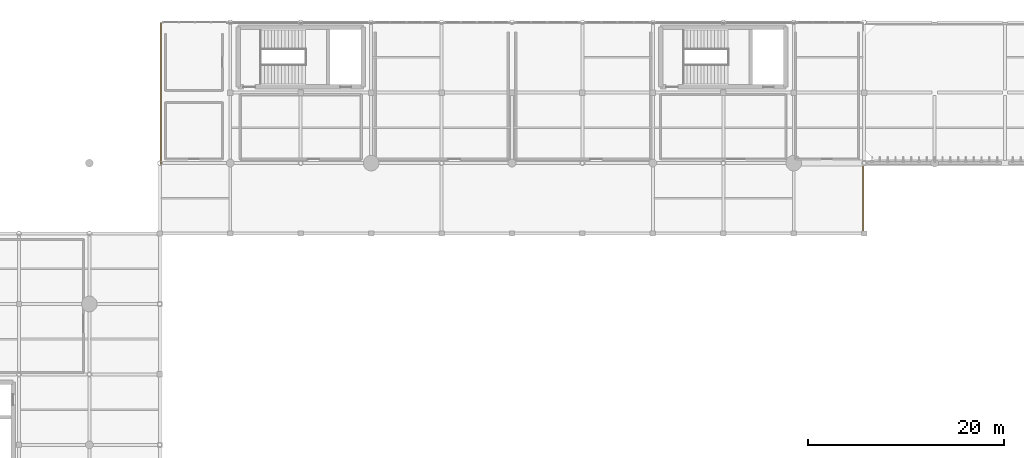
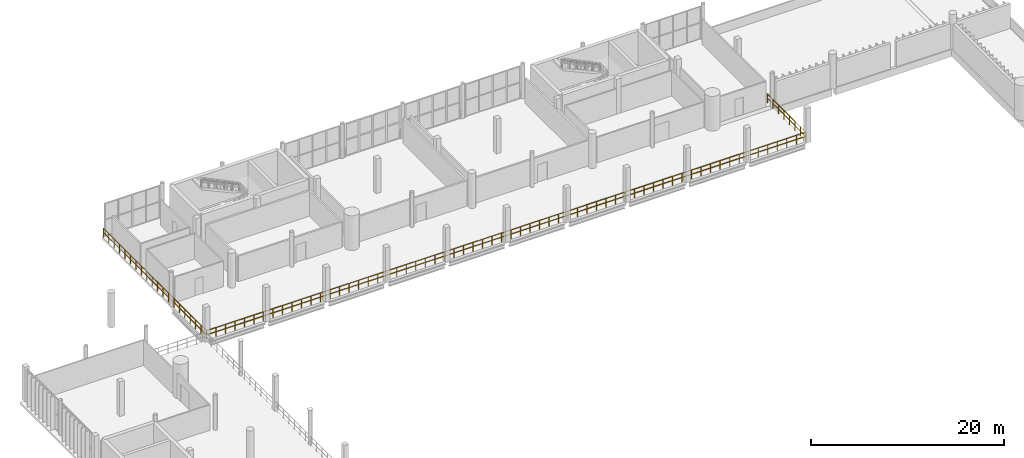
# One storey, part 76 of 81: 1 railing.
"""IFC4 building model written with IfcOpenShell, lengths in metres."""

import ifcopenshell
import ifcopenshell.guid

model = None  # the IFC model being written
_history = None  # IfcOwnerHistory: only IFC2X3 demands one
_inside = {}  # id of a spatial element -> (the spatial element, [elements in it])
_under = {}  # id of a project, library or spatial element -> (it, [spatial elements below it])
_declared = {}  # id of a project -> (the project, [libraries it declares])
_typed = {}  # id of a type object -> (the type object, [elements of that type])
_made_of = {}  # id of a material, layer set ... -> (it, [elements and type objects made of it])


def new_model(schema):
    """Start an empty IFC model of exactly this schema.

    Asked for "IFC4X3", IfcOpenShell would pick the latest addendum, in which some entities
    have other attributes; the version numbers below select the first issue.
    IFC2X3 requires an IfcOwnerHistory on every rooted entity: one is made here for all.
    """
    global model, _history
    if schema == "IFC4X3":
        model = ifcopenshell.file(schema_version=(4, 3, 0, 0))
    else:
        model = ifcopenshell.file(schema=schema)
    _inside.clear()
    _under.clear()
    _declared.clear()
    _typed.clear()
    _made_of.clear()
    _history = None
    if model.schema == "IFC2X3":
        org = make("IfcOrganization", Name="unknown")
        user = make(
            "IfcPersonAndOrganization",
            ThePerson=make("IfcPerson", FamilyName="unknown"),
            TheOrganization=org,
        )
        app = make(
            "IfcApplication",
            ApplicationDeveloper=org,
            Version="unknown",
            ApplicationFullName="unknown",
            ApplicationIdentifier="unknown",
        )
        _history = make(
            "IfcOwnerHistory",
            OwningUser=user,
            OwningApplication=app,
            ChangeAction="ADDED",
            CreationDate=0,
        )
    return model


def make(cls, **values):
    """One entity of the class cls with the attributes given. An attribute that is None is left unset."""
    return model.create_entity(
        cls, **{name: value for name, value in values.items() if value is not None}
    )


def rooted(cls, **values):
    """An entity with a GlobalId (a new one), such as an element, a storey or a relation."""
    return make(cls, GlobalId=ifcopenshell.guid.new(), OwnerHistory=_history, **values)


def si_unit(unit_type, name, prefix=None):
    """IfcSIUnit, for example si_unit("LENGTHUNIT", "METRE", prefix="MILLI")."""
    return make("IfcSIUnit", UnitType=unit_type, Prefix=prefix, Name=name)


def assignment(units):
    """IfcUnitAssignment: the units of a project."""
    return None if units is None else make("IfcUnitAssignment", Units=units)


def point(xyz):
    """IfcCartesianPoint."""
    return None if xyz is None else make("IfcCartesianPoint", Coordinates=xyz)


def direction(xyz):
    """IfcDirection."""
    return None if xyz is None else make("IfcDirection", DirectionRatios=xyz)


def frame(location, z_axis=None, x_axis=None):
    """IfcAxis2Placement3D, a coordinate frame: its origin and axes. An axis left out is left unset."""
    return make(
        "IfcAxis2Placement3D",
        Location=point(location),
        Axis=direction(z_axis),
        RefDirection=direction(x_axis),
    )


def frame_2d(location, x_axis=None):
    """IfcAxis2Placement2D, a coordinate frame in the plane: its origin and x axis."""
    return make(
        "IfcAxis2Placement2D", Location=point(location), RefDirection=direction(x_axis)
    )


def origin():
    """The frame at (0, 0, 0) with its axes left unset."""
    return frame((0.0, 0.0, 0.0))


def origin_2d():
    """The frame at (0, 0) in the plane with its x axis left unset."""
    return frame_2d((0.0, 0.0))


def place(relative_to, where):
    """IfcLocalPlacement: puts the frame where relative to a parent placement (None: the world)."""
    return make(
        "IfcLocalPlacement", PlacementRelTo=relative_to, RelativePlacement=where
    )


def context(
    kind, dimensions, precision=None, world=None, true_north=None, identifier=None
):
    """IfcGeometricRepresentationContext, for example the 3D "Model" context."""
    return make(
        "IfcGeometricRepresentationContext",
        ContextIdentifier=identifier,
        ContextType=kind,
        CoordinateSpaceDimension=dimensions,
        Precision=precision,
        WorldCoordinateSystem=world,
        TrueNorth=true_north,
    )


def subcontext(parent, identifier, kind, view, scale=None):
    """IfcGeometricRepresentationSubContext, for example "Body" below "Model"."""
    return make(
        "IfcGeometricRepresentationSubContext",
        ContextIdentifier=identifier,
        ContextType=kind,
        ParentContext=parent,
        TargetScale=scale,
        TargetView=view,
    )


def project(units=None, contexts=None):
    """IfcProject with its units and contexts."""
    return rooted(
        "IfcProject",
        Name="project",
        RepresentationContexts=contexts,
        UnitsInContext=assignment(units),
    )


def spatial(cls, under=None, at=None, **own):
    """A site, building, storey or space (cls), placed at a placement, below another one or the project."""
    s = rooted(cls, ObjectPlacement=at, **own)
    if under is not None:
        _under.setdefault(under.id(), (under, []))[1].append(s)
    return s


def profile(cls, at=None, kind="AREA", **sizes):
    """A parametric profile (cls). Its sizes go by their IFC names, for example OverallWidth=200.0."""
    return make(cls, ProfileType=kind, Position=at, **sizes)


def circle(**sizes):
    """IfcCircleProfileDef."""
    return profile("IfcCircleProfileDef", **sizes)


def extrude(swept, where, along, depth):
    """IfcExtrudedAreaSolid: the profile swept, set in the frame where, extruded along a direction by depth."""
    return make(
        "IfcExtrudedAreaSolid",
        SweptArea=swept,
        Position=where,
        ExtrudedDirection=direction(along),
        Depth=depth,
    )


def shape(context_of_items, identifier, shape_type, items):
    """IfcShapeRepresentation: the items that make up one representation, for example the "Body"."""
    return make(
        "IfcShapeRepresentation",
        ContextOfItems=context_of_items,
        RepresentationIdentifier=identifier,
        RepresentationType=shape_type,
        Items=items,
    )


def material(Name=None, Category=None):
    """IfcMaterial."""
    return make("IfcMaterial", Name=Name, Category=Category)


def made_of(thing, what):
    """Note that an element or type object is made of a material, layer set ...; save() writes the relation."""
    if what is not None:
        _made_of.setdefault(what.id(), (what, []))[1].append(thing)
    return thing


def type_object(cls, material=None, **own):
    """A type object (cls), such as IfcWallType, which elements share."""
    return made_of(rooted(cls, **own), material)


def element(
    cls,
    number,
    at=None,
    inside=None,
    cuts=None,
    type_object=None,
    material=None,
    context=None,
    identifier="Body",
    shape_type=None,
    held_by="IfcProductDefinitionShape",
    body=None,
    shapes=None,
    **own,
):
    """One element of the class cls, such as IfcWall. Its Tag is "e" and its number.

    at: its placement. inside: the storey or other place that contains it. cuts: it is an
    opening in that element (IfcRelVoidsElement). A single representation is given by context,
    identifier, shape_type and body (its items); several are given by shapes. held_by: the class
    of the entity that holds the representations. save() writes the other relations.
    """
    e = rooted(cls, Tag="e%d" % number, ObjectPlacement=at, **own)
    if body is not None:
        shapes = [shape(context, identifier, shape_type, body)]
    if shapes is not None:
        e.Representation = make(held_by, Representations=shapes)
    if inside is not None:
        _inside.setdefault(inside.id(), (inside, []))[1].append(e)
    if cuts is not None:
        rooted(
            "IfcRelVoidsElement", RelatingBuildingElement=cuts, RelatedOpeningElement=e
        )
    if type_object is not None:
        _typed.setdefault(type_object.id(), (type_object, []))[1].append(e)
    return made_of(e, material)


def aggregate(whole, parts):
    """IfcRelAggregates: a whole, such as a stair, and the parts it consists of."""
    return rooted("IfcRelAggregates", RelatingObject=whole, RelatedObjects=parts)


def save(model, path):
    """Write the relations noted so far, then the file.

    IfcRelAggregates (storeys below a building ...), IfcRelContainedInSpatialStructure (elements
    in a storey), IfcRelDefinesByType, IfcRelAssociatesMaterial and IfcRelDeclares: one each for
    every whole, place, type object, material and project.
    """
    for whole, parts in _under.values():
        aggregate(whole, parts)
    for where, things in _inside.values():
        rooted(
            "IfcRelContainedInSpatialStructure",
            RelatedElements=things,
            RelatingStructure=where,
        )
    for kind, things in _typed.values():
        rooted("IfcRelDefinesByType", RelatedObjects=things, RelatingType=kind)
    for what, things in _made_of.values():
        rooted("IfcRelAssociatesMaterial", RelatedObjects=things, RelatingMaterial=what)
    for by, libraries in _declared.values():
        rooted("IfcRelDeclares", RelatingContext=by, RelatedDefinitions=libraries)
    model.write(path)


model = new_model("IFC4")

# Units and contexts
model_context = context("Model", 3, precision=1e-05, world=origin(), true_north=direction((0.0, 1.0)))
body_context = subcontext(model_context, "Body", "Model", "MODEL_VIEW")
ifc_project = project(units=[si_unit("LENGTHUNIT", "METRE"), si_unit("AREAUNIT", "SQUARE_METRE"), si_unit("VOLUMEUNIT", "CUBIC_METRE"), si_unit("PLANEANGLEUNIT", "RADIAN"), si_unit("MASSUNIT", "GRAM", prefix="KILO")], contexts=[model_context])

# Site, building, storey
site_placement = place(None, origin())
site = spatial("IfcSite", under=ifc_project, at=site_placement, CompositionType="ELEMENT")
building_placement = place(site_placement, origin())
building = spatial("IfcBuilding", under=site, at=building_placement, Name="Qandorah Velis Arena", CompositionType="ELEMENT")
storey_placement = place(building_placement, frame((0.0, 0.0, 18.60009765625)))
storey = spatial("IfcBuildingStorey", under=building, at=storey_placement, Name="L04", CompositionType="ELEMENT", Elevation=18.60009765625)

# Railing
ifc_material = material(Name="Stainless steel 316", Category="steel")
railing_type = type_object("IfcRailingType", Name="ARC-RL-GRD1150", PredefinedType="GUARDRAIL", material=ifc_material)
railing_placement = place(storey_placement, frame((93.5, 116.063720703125, 0.0)))
element("IfcRailing", 1, at=railing_placement, inside=storey, type_object=railing_type, Name="Slab edge safety guardrail L04-237", PredefinedType="GUARDRAIL", context=body_context, shape_type="SweptSolid", body=[
    extrude(circle(Radius=0.02392578125, at=origin_2d()), frame((0.0, 0.0, 1.1259765625), z_axis=(0.0, -1.0, 0.0), x_axis=(1.0, 0.0, 0.0)), (0.0, 0.0, 1.0), 7.963623046875),
    extrude(circle(Radius=0.02392578125, at=origin_2d()), frame((0.0, 0.0, 0.597900390625), z_axis=(0.0, -1.0, 0.0), x_axis=(1.0, 0.0, 0.0)), (0.0, 0.0, 1.0), 7.963623046875),
    extrude(circle(Radius=0.02392578125, at=origin_2d()), frame((0.0, -7.963623046875, 1.1259765625), z_axis=(-1.0, 0.0, 0.0), x_axis=(0.0, -1.0, 0.0)), (0.0, 0.0, 1.0), 71.800048828125),
    extrude(circle(Radius=0.02392578125, at=origin_2d()), frame((0.0, -7.963623046875, 0.597900390625), z_axis=(-1.0, 0.0, 0.0), x_axis=(0.0, -1.0, 0.0)), (0.0, 0.0, 1.0), 71.800048828125),
    extrude(circle(Radius=0.02392578125, at=origin_2d()), frame((-71.800048828125, -7.963623046875, 1.1259765625), z_axis=(0.0, 1.0, 0.0), x_axis=(-1.0, 0.0, 0.0)), (0.0, 0.0, 1.0), 21.39990234375),
    extrude(circle(Radius=0.02392578125, at=origin_2d()), frame((-71.800048828125, -7.963623046875, 0.597900390625), z_axis=(0.0, 1.0, 0.0), x_axis=(-1.0, 0.0, 0.0)), (0.0, 0.0, 1.0), 21.39990234375),
    extrude(circle(Radius=0.02099609375, at=origin_2d()), origin(), (0.0, 0.0, 1.0), 1.101806640625),
    extrude(circle(Radius=0.02099609375, at=origin_2d()), frame((0.0, -1.1376953125, 0.0)), (0.0, 0.0, 1.0), 1.101806640625),
    extrude(circle(Radius=0.02099609375, at=origin_2d()), frame((0.0, -2.275390625, 0.0)), (0.0, 0.0, 1.0), 1.101806640625),
    extrude(circle(Radius=0.02099609375, at=origin_2d()), frame((0.0, -3.4130859375, 0.0)), (0.0, 0.0, 1.0), 1.101806640625),
    extrude(circle(Radius=0.02099609375, at=origin_2d()), frame((0.0, -4.550537109375, 0.0)), (0.0, 0.0, 1.0), 1.101806640625),
    extrude(circle(Radius=0.02099609375, at=origin_2d()), frame((0.0, -5.688232421875, 0.0)), (0.0, 0.0, 1.0), 1.101806640625),
    extrude(circle(Radius=0.02099609375, at=origin_2d()), frame((0.0, -6.825927734375, 0.0)), (0.0, 0.0, 1.0), 1.101806640625),
    extrude(circle(Radius=0.02099609375, at=origin_2d()), frame((0.0, -7.963623046875, 0.0)), (0.0, 0.0, 1.0), 1.101806640625),
    extrude(circle(Radius=0.02099609375, at=origin_2d()), frame((-1.1396484375, -7.963623046875, 0.0)), (0.0, 0.0, 1.0), 1.101806640625),
    extrude(circle(Radius=0.02099609375, at=origin_2d()), frame((-2.279296875, -7.963623046875, 0.0)), (0.0, 0.0, 1.0), 1.101806640625),
    extrude(circle(Radius=0.02099609375, at=origin_2d()), frame((-3.4189453125, -7.963623046875, 0.0)), (0.0, 0.0, 1.0), 1.101806640625),
    extrude(circle(Radius=0.02099609375, at=origin_2d()), frame((-4.558837890625, -7.963623046875, 0.0)), (0.0, 0.0, 1.0), 1.101806640625),
    extrude(circle(Radius=0.02099609375, at=origin_2d()), frame((-5.698486328125, -7.963623046875, 0.0)), (0.0, 0.0, 1.0), 1.101806640625),
    extrude(circle(Radius=0.02099609375, at=origin_2d()), frame((-6.838134765625, -7.963623046875, 0.0)), (0.0, 0.0, 1.0), 1.101806640625),
    extrude(circle(Radius=0.02099609375, at=origin_2d()), frame((-7.977783203125, -7.963623046875, 0.0)), (0.0, 0.0, 1.0), 1.101806640625),
    extrude(circle(Radius=0.02099609375, at=origin_2d()), frame((-9.117431640625, -7.963623046875, 0.0)), (0.0, 0.0, 1.0), 1.101806640625),
    extrude(circle(Radius=0.02099609375, at=origin_2d()), frame((-10.257080078125, -7.963623046875, 0.0)), (0.0, 0.0, 1.0), 1.101806640625),
    extrude(circle(Radius=0.02099609375, at=origin_2d()), frame((-11.396728515625, -7.963623046875, 0.0)), (0.0, 0.0, 1.0), 1.101806640625),
    extrude(circle(Radius=0.02099609375, at=origin_2d()), frame((-12.53662109375, -7.963623046875, 0.0)), (0.0, 0.0, 1.0), 1.101806640625),
    extrude(circle(Radius=0.02099609375, at=origin_2d()), frame((-13.67626953125, -7.963623046875, 0.0)), (0.0, 0.0, 1.0), 1.101806640625),
    extrude(circle(Radius=0.02099609375, at=origin_2d()), frame((-14.81591796875, -7.963623046875, 0.0)), (0.0, 0.0, 1.0), 1.101806640625),
    extrude(circle(Radius=0.02099609375, at=origin_2d()), frame((-15.95556640625, -7.963623046875, 0.0)), (0.0, 0.0, 1.0), 1.101806640625),
    extrude(circle(Radius=0.02099609375, at=origin_2d()), frame((-17.09521484375, -7.963623046875, 0.0)), (0.0, 0.0, 1.0), 1.101806640625),
    extrude(circle(Radius=0.02099609375, at=origin_2d()), frame((-18.23486328125, -7.963623046875, 0.0)), (0.0, 0.0, 1.0), 1.101806640625),
    extrude(circle(Radius=0.02099609375, at=origin_2d()), frame((-19.37451171875, -7.963623046875, 0.0)), (0.0, 0.0, 1.0), 1.101806640625),
    extrude(circle(Radius=0.02099609375, at=origin_2d()), frame((-20.514404296875, -7.963623046875, 0.0)), (0.0, 0.0, 1.0), 1.101806640625),
    extrude(circle(Radius=0.02099609375, at=origin_2d()), frame((-21.654052734375, -7.963623046875, 0.0)), (0.0, 0.0, 1.0), 1.101806640625),
    extrude(circle(Radius=0.02099609375, at=origin_2d()), frame((-22.793701171875, -7.963623046875, 0.0)), (0.0, 0.0, 1.0), 1.101806640625),
    extrude(circle(Radius=0.02099609375, at=origin_2d()), frame((-23.933349609375, -7.963623046875, 0.0)), (0.0, 0.0, 1.0), 1.101806640625),
    extrude(circle(Radius=0.02099609375, at=origin_2d()), frame((-25.072998046875, -7.963623046875, 0.0)), (0.0, 0.0, 1.0), 1.101806640625),
    extrude(circle(Radius=0.02099609375, at=origin_2d()), frame((-26.212646484375, -7.963623046875, 0.0)), (0.0, 0.0, 1.0), 1.101806640625),
    extrude(circle(Radius=0.02099609375, at=origin_2d()), frame((-27.352294921875, -7.963623046875, 0.0)), (0.0, 0.0, 1.0), 1.101806640625),
    extrude(circle(Radius=0.02099609375, at=origin_2d()), frame((-28.4921875, -7.963623046875, 0.0)), (0.0, 0.0, 1.0), 1.101806640625),
    extrude(circle(Radius=0.02099609375, at=origin_2d()), frame((-29.6318359375, -7.963623046875, 0.0)), (0.0, 0.0, 1.0), 1.101806640625),
    extrude(circle(Radius=0.02099609375, at=origin_2d()), frame((-30.771484375, -7.963623046875, 0.0)), (0.0, 0.0, 1.0), 1.101806640625),
    extrude(circle(Radius=0.02099609375, at=origin_2d()), frame((-31.9111328125, -7.963623046875, 0.0)), (0.0, 0.0, 1.0), 1.101806640625),
    extrude(circle(Radius=0.02099609375, at=origin_2d()), frame((-33.05078125, -7.963623046875, 0.0)), (0.0, 0.0, 1.0), 1.101806640625),
    extrude(circle(Radius=0.02099609375, at=origin_2d()), frame((-34.1904296875, -7.963623046875, 0.0)), (0.0, 0.0, 1.0), 1.101806640625),
    extrude(circle(Radius=0.02099609375, at=origin_2d()), frame((-35.330078125, -7.963623046875, 0.0)), (0.0, 0.0, 1.0), 1.101806640625),
    extrude(circle(Radius=0.02099609375, at=origin_2d()), frame((-36.469970703125, -7.963623046875, 0.0)), (0.0, 0.0, 1.0), 1.101806640625),
    extrude(circle(Radius=0.02099609375, at=origin_2d()), frame((-37.609619140625, -7.963623046875, 0.0)), (0.0, 0.0, 1.0), 1.101806640625),
    extrude(circle(Radius=0.02099609375, at=origin_2d()), frame((-38.749267578125, -7.963623046875, 0.0)), (0.0, 0.0, 1.0), 1.101806640625),
    extrude(circle(Radius=0.02099609375, at=origin_2d()), frame((-39.888916015625, -7.963623046875, 0.0)), (0.0, 0.0, 1.0), 1.101806640625),
    extrude(circle(Radius=0.02099609375, at=origin_2d()), frame((-41.028564453125, -7.963623046875, 0.0)), (0.0, 0.0, 1.0), 1.101806640625),
    extrude(circle(Radius=0.02099609375, at=origin_2d()), frame((-42.168212890625, -7.963623046875, 0.0)), (0.0, 0.0, 1.0), 1.101806640625),
    extrude(circle(Radius=0.02099609375, at=origin_2d()), frame((-43.307861328125, -7.963623046875, 0.0)), (0.0, 0.0, 1.0), 1.101806640625),
    extrude(circle(Radius=0.02099609375, at=origin_2d()), frame((-44.44775390625, -7.963623046875, 0.0)), (0.0, 0.0, 1.0), 1.101806640625),
    extrude(circle(Radius=0.02099609375, at=origin_2d()), frame((-45.58740234375, -7.963623046875, 0.0)), (0.0, 0.0, 1.0), 1.101806640625),
    extrude(circle(Radius=0.02099609375, at=origin_2d()), frame((-46.72705078125, -7.963623046875, 0.0)), (0.0, 0.0, 1.0), 1.101806640625),
    extrude(circle(Radius=0.02099609375, at=origin_2d()), frame((-47.86669921875, -7.963623046875, 0.0)), (0.0, 0.0, 1.0), 1.101806640625),
    extrude(circle(Radius=0.02099609375, at=origin_2d()), frame((-49.00634765625, -7.963623046875, 0.0)), (0.0, 0.0, 1.0), 1.101806640625),
    extrude(circle(Radius=0.02099609375, at=origin_2d()), frame((-50.14599609375, -7.963623046875, 0.0)), (0.0, 0.0, 1.0), 1.101806640625),
    extrude(circle(Radius=0.02099609375, at=origin_2d()), frame((-51.28564453125, -7.963623046875, 0.0)), (0.0, 0.0, 1.0), 1.101806640625),
    extrude(circle(Radius=0.02099609375, at=origin_2d()), frame((-52.425537109375, -7.963623046875, 0.0)), (0.0, 0.0, 1.0), 1.101806640625),
    extrude(circle(Radius=0.02099609375, at=origin_2d()), frame((-53.565185546875, -7.963623046875, 0.0)), (0.0, 0.0, 1.0), 1.101806640625),
    extrude(circle(Radius=0.02099609375, at=origin_2d()), frame((-54.704833984375, -7.963623046875, 0.0)), (0.0, 0.0, 1.0), 1.101806640625),
    extrude(circle(Radius=0.02099609375, at=origin_2d()), frame((-55.844482421875, -7.963623046875, 0.0)), (0.0, 0.0, 1.0), 1.101806640625),
    extrude(circle(Radius=0.02099609375, at=origin_2d()), frame((-56.984130859375, -7.963623046875, 0.0)), (0.0, 0.0, 1.0), 1.101806640625),
    extrude(circle(Radius=0.02099609375, at=origin_2d()), frame((-58.123779296875, -7.963623046875, 0.0)), (0.0, 0.0, 1.0), 1.101806640625),
    extrude(circle(Radius=0.02099609375, at=origin_2d()), frame((-59.263427734375, -7.963623046875, 0.0)), (0.0, 0.0, 1.0), 1.101806640625),
    extrude(circle(Radius=0.02099609375, at=origin_2d()), frame((-60.4033203125, -7.963623046875, 0.0)), (0.0, 0.0, 1.0), 1.101806640625),
    extrude(circle(Radius=0.02099609375, at=origin_2d()), frame((-61.54296875, -7.963623046875, 0.0)), (0.0, 0.0, 1.0), 1.101806640625),
    extrude(circle(Radius=0.02099609375, at=origin_2d()), frame((-62.6826171875, -7.963623046875, 0.0)), (0.0, 0.0, 1.0), 1.101806640625),
    extrude(circle(Radius=0.02099609375, at=origin_2d()), frame((-63.822265625, -7.963623046875, 0.0)), (0.0, 0.0, 1.0), 1.101806640625),
    extrude(circle(Radius=0.02099609375, at=origin_2d()), frame((-64.9619140625, -7.963623046875, 0.0)), (0.0, 0.0, 1.0), 1.101806640625),
    extrude(circle(Radius=0.02099609375, at=origin_2d()), frame((-66.1015625, -7.963623046875, 0.0)), (0.0, 0.0, 1.0), 1.101806640625),
    extrude(circle(Radius=0.02099609375, at=origin_2d()), frame((-67.2412109375, -7.963623046875, 0.0)), (0.0, 0.0, 1.0), 1.101806640625),
    extrude(circle(Radius=0.02099609375, at=origin_2d()), frame((-68.381103515625, -7.963623046875, 0.0)), (0.0, 0.0, 1.0), 1.101806640625),
    extrude(circle(Radius=0.02099609375, at=origin_2d()), frame((-69.520751953125, -7.963623046875, 0.0)), (0.0, 0.0, 1.0), 1.101806640625),
    extrude(circle(Radius=0.02099609375, at=origin_2d()), frame((-70.660400390625, -7.963623046875, 0.0)), (0.0, 0.0, 1.0), 1.101806640625),
    extrude(circle(Radius=0.02099609375, at=origin_2d()), frame((-71.800048828125, -7.963623046875, 0.0)), (0.0, 0.0, 1.0), 1.101806640625),
    extrude(circle(Radius=0.02099609375, at=origin_2d()), frame((-71.800048828125, -6.83740234375, 0.0)), (0.0, 0.0, 1.0), 1.101806640625),
    extrude(circle(Radius=0.02099609375, at=origin_2d()), frame((-71.800048828125, -5.7109375, 0.0)), (0.0, 0.0, 1.0), 1.101806640625),
    extrude(circle(Radius=0.02099609375, at=origin_2d()), frame((-71.800048828125, -4.584716796875, 0.0)), (0.0, 0.0, 1.0), 1.101806640625),
    extrude(circle(Radius=0.02099609375, at=origin_2d()), frame((-71.800048828125, -3.45849609375, 0.0)), (0.0, 0.0, 1.0), 1.101806640625),
    extrude(circle(Radius=0.02099609375, at=origin_2d()), frame((-71.800048828125, -2.33203125, 0.0)), (0.0, 0.0, 1.0), 1.101806640625),
    extrude(circle(Radius=0.02099609375, at=origin_2d()), frame((-71.800048828125, -1.205810546875, 0.0)), (0.0, 0.0, 1.0), 1.101806640625),
    extrude(circle(Radius=0.02099609375, at=origin_2d()), frame((-71.800048828125, -0.079345703125, 0.0)), (0.0, 0.0, 1.0), 1.101806640625),
    extrude(circle(Radius=0.02099609375, at=origin_2d()), frame((-71.800048828125, 1.046875, 0.0)), (0.0, 0.0, 1.0), 1.101806640625),
    extrude(circle(Radius=0.02099609375, at=origin_2d()), frame((-71.800048828125, 2.173095703125, 0.0)), (0.0, 0.0, 1.0), 1.101806640625),
    extrude(circle(Radius=0.02099609375, at=origin_2d()), frame((-71.800048828125, 3.299560546875, 0.0)), (0.0, 0.0, 1.0), 1.101806640625),
    extrude(circle(Radius=0.02099609375, at=origin_2d()), frame((-71.800048828125, 4.42578125, 0.0)), (0.0, 0.0, 1.0), 1.101806640625),
    extrude(circle(Radius=0.02099609375, at=origin_2d()), frame((-71.800048828125, 5.552001953125, 0.0)), (0.0, 0.0, 1.0), 1.101806640625),
    extrude(circle(Radius=0.02099609375, at=origin_2d()), frame((-71.800048828125, 6.678466796875, 0.0)), (0.0, 0.0, 1.0), 1.101806640625),
    extrude(circle(Radius=0.02099609375, at=origin_2d()), frame((-71.800048828125, 7.8046875, 0.0)), (0.0, 0.0, 1.0), 1.101806640625),
    extrude(circle(Radius=0.02099609375, at=origin_2d()), frame((-71.800048828125, 8.93115234375, 0.0)), (0.0, 0.0, 1.0), 1.101806640625),
    extrude(circle(Radius=0.02099609375, at=origin_2d()), frame((-71.800048828125, 10.057373046875, 0.0)), (0.0, 0.0, 1.0), 1.101806640625),
    extrude(circle(Radius=0.02099609375, at=origin_2d()), frame((-71.800048828125, 11.18359375, 0.0)), (0.0, 0.0, 1.0), 1.101806640625),
    extrude(circle(Radius=0.02099609375, at=origin_2d()), frame((-71.800048828125, 12.31005859375, 0.0)), (0.0, 0.0, 1.0), 1.101806640625),
    extrude(circle(Radius=0.02099609375, at=origin_2d()), frame((-71.800048828125, 13.436279296875, 0.0)), (0.0, 0.0, 1.0), 1.101806640625),
])

save(model, "model.ifc")
